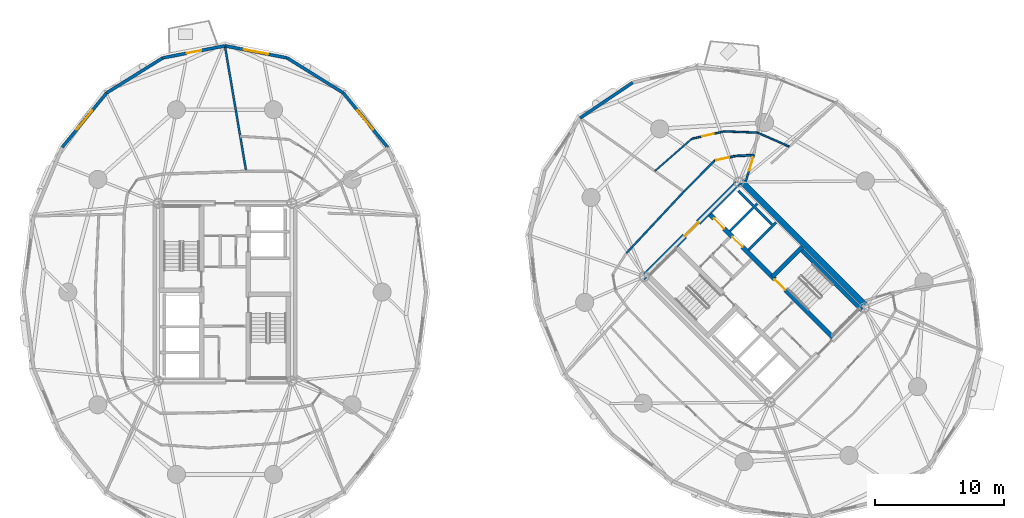
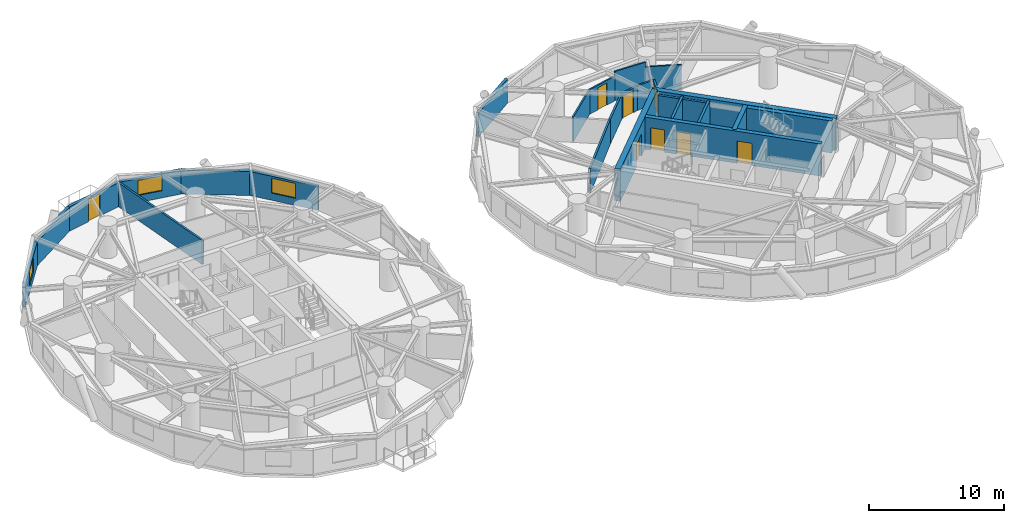
# One storey, part 13 of 18: 26 walls, 8 doors, 3 windows, 11 openings.
"""IFC4 building model written with IfcOpenShell, lengths in metres."""

from ifc_helpers import new_model, si_unit, direction, frame, frame_2d, origin, place, context, subcontext, project, spatial, rectangle, extrude, source, transform, mapped, material, layer, layer_set, type_object, element, fill, save


model = new_model("IFC4")

# Units and contexts
model_context = context("Model", 3, precision=1e-05, world=origin(), true_north=direction((0.0, 1.0)))
body_context = subcontext(model_context, "Body", "Model", "MODEL_VIEW")
ifc_project = project(units=[si_unit("LENGTHUNIT", "METRE"), si_unit("AREAUNIT", "SQUARE_METRE"), si_unit("VOLUMEUNIT", "CUBIC_METRE"), si_unit("PLANEANGLEUNIT", "RADIAN"), si_unit("MASSUNIT", "GRAM", prefix="KILO")], contexts=[model_context])

# Site, building, storey
site_placement = place(None, origin())
site = spatial("IfcSite", under=ifc_project, at=site_placement, CompositionType="ELEMENT")
building_placement = place(site_placement, origin())
building = spatial("IfcBuilding", under=site, at=building_placement, Name="Cununo Teusaquillo Station Towers", CompositionType="ELEMENT")
storey_placement = place(building_placement, frame((0.0, 0.0, 105.070068359375)))
storey = spatial("IfcBuildingStorey", under=building, at=storey_placement, Name="L33", CompositionType="ELEMENT", Elevation=105.070068359375)

# Walls
ifc_material_1 = material(Name="Concrete C50/60", Category="concrete")
ifc_layer_1 = layer(ifc_material_1, 0.199951171875)
ifc_layer_set_1 = layer_set([ifc_layer_1], Name="Concrete C50/60")
wall_type_1 = type_object("IfcWallType", Name="WL-CORE-200", PredefinedType="SHEAR", material=ifc_layer_set_1)
wall_1_placement = place(storey_placement, frame((57.0615234375, 27.781005859375, 0.0), z_axis=(0.0, 0.0, 1.0), x_axis=(0.707106781187, 0.707106781187, 0.0)))
element("IfcWall", 1, at=wall_1_placement, inside=storey, type_object=wall_type_1, Name="L33 Tower B Low-Rise Lift Hoistway South Shear Wall", PredefinedType="SHEAR", context=body_context, shape_type="SweptSolid", body=[
    extrude(rectangle(XDim=2.969970703125, YDim=0.199951171875, at=frame_2d((1.48486328125, 0.0))), origin(), (0.0, 0.0, 1.0), 2.909912109375),
])
wall_2_placement = place(storey_placement, frame((55.615478515625, 29.22705078125, 0.0), z_axis=(0.0, 0.0, 1.0), x_axis=(0.707147878904, 0.70706568108, 0.0)))
element("IfcWall", 2, at=wall_2_placement, inside=storey, type_object=wall_type_1, Name="L33 Tower B Low-Rise Lift Hoistway Divider Shear Wall", PredefinedType="SHEAR", context=body_context, shape_type="SweptSolid", body=[
    extrude(rectangle(XDim=2.97021484375, YDim=0.199951171875, at=frame_2d((1.485107421875, 0.0))), origin(), (0.0, 0.0, 1.0), 2.909912109375),
])
wall_3_placement = place(storey_placement, frame((58.86474609375, 29.75390625, 0.0), z_axis=(0.0, 0.0, 1.0), x_axis=(-0.707174411312, 0.707039144592, 0.0)))
element("IfcWall", 3, at=wall_3_placement, inside=storey, type_object=wall_type_1, Name="L33 Tower B Low-Rise Lift 1 Shaft Rear Shear Wall", PredefinedType="SHEAR", context=body_context, shape_type="SweptSolid", body=[
    extrude(rectangle(XDim=1.804931640625, YDim=0.199951171875, at=frame_2d((0.90234375, 0.0))), origin(), (0.0, 0.0, 1.0), 2.909912109375),
])
wall_4_placement = place(storey_placement, frame((57.418701171875, 31.19970703125, 0.0), z_axis=(0.0, 0.0, 1.0), x_axis=(-0.707032117043, 0.707181437447, 0.0)))
element("IfcWall", 4, at=wall_4_placement, inside=storey, type_object=wall_type_1, Name="L33 Tower B Low-Rise Lift 2 Shaft Rear Shear Wall", PredefinedType="SHEAR", context=body_context, shape_type="SweptSolid", body=[
    extrude(rectangle(XDim=1.635009765625, YDim=0.199951171875, at=frame_2d((0.8173828125, 0.0))), origin(), (0.0, 0.0, 1.0), 2.909912109375),
])

# Wall, openings, doors
ifc_material_2 = material(Name="Concrete C50/60", Category="concrete")
ifc_layer_2 = layer(ifc_material_2, 0.35009765625)
ifc_layer_set_2 = layer_set([ifc_layer_2], Name="Concrete C50/60")
wall_type_2 = type_object("IfcWallType", Name="WL-CORE-350", PredefinedType="SHEAR", material=ifc_layer_set_2)
wall_5_placement = place(storey_placement, frame((63.644775390625, 20.922119140625, 0.0), z_axis=(0.0, 0.0, 1.0), x_axis=(-0.707106781187, 0.707106781187, 0.0)))
wall_5 = element("IfcWall", 5, at=wall_5_placement, inside=storey, type_object=wall_type_2, Name="L33 Tower B Core Shear Wall IE", PredefinedType="SHEAR", context=body_context, shape_type="SweptSolid", body=[
    extrude(rectangle(XDim=13.75, YDim=0.35009765625, at=frame_2d((6.875, 0.0))), origin(), (0.0, 0.0, 1.0), 2.909912109375),
])
shared_shape_1 = source(origin(), body_context, "Body", "SweptSolid", [
    extrude(rectangle(XDim=1.10009765625, YDim=2.014892578125, at=frame_2d((0.550048828125, 1.00732421875))), frame((0.0, 0.18505859375, 0.0), z_axis=(0.0, -1.0, 0.0), x_axis=(1.0, 0.0, 0.0)), (0.0, 0.0, 1.0), 0.3701171875),
])
opening_1_placement = place(wall_5_placement, frame((10.0, 0.0, 0.0)))
opening_1 = element("IfcOpeningElement", 6, at=opening_1_placement, cuts=wall_5, Name="Opening LD-01", PredefinedType="OPENING", context=body_context, shape_type="MappedRepresentation", body=[
    mapped(shared_shape_1, transform((0.0, 0.0, 0.0), x_axis=(1.0, 0.0, 0.0), y_axis=(0.0, 1.0, 0.0), z_axis=(0.0, 0.0, 1.0), scale=1.0)),
])
opening_2_placement = place(wall_5_placement, frame((12.0, 0.0, 0.0)))
opening_2 = element("IfcOpeningElement", 7, at=opening_2_placement, cuts=wall_5, Name="Opening LD-01", PredefinedType="OPENING", context=body_context, shape_type="MappedRepresentation", body=[
    mapped(shared_shape_1, transform((0.0, 0.0, 0.0), x_axis=(1.0, 0.0, 0.0), y_axis=(0.0, 1.0, 0.0), z_axis=(0.0, 0.0, 1.0), scale=1.0)),
])
shared_shape_2 = source(origin(), body_context, "Body", "SweptSolid", [
    extrude(rectangle(XDim=1.14990234375, YDim=2.02001953125, at=frame_2d((0.574951171875, 1.010009765625))), frame((0.0, 0.18505859375, 0.0), z_axis=(0.0, -1.0, 0.0), x_axis=(1.0, 0.0, 0.0)), (0.0, 0.0, 1.0), 0.3701171875),
])
opening_3_placement = place(wall_5_placement, frame((5.304931640625, 0.0, 0.0)))
opening_3 = element("IfcOpeningElement", 8, at=opening_3_placement, cuts=wall_5, Name="Opening D-ST1", PredefinedType="OPENING", context=body_context, shape_type="MappedRepresentation", body=[
    mapped(shared_shape_2, transform((0.0, 0.0, 0.0), x_axis=(1.0, 0.0, 0.0), y_axis=(0.0, 1.0, 0.0), z_axis=(0.0, 0.0, 1.0), scale=1.0)),
])
ifc_material_3 = material(Name="Galvanised fire-rated hollow steel door assembly", Category="steel")
door_type_1 = type_object("IfcDoorType", Name="DR-LIFT-1100", OperationType="SLIDING_TO_LEFT", PredefinedType="DOOR", material=ifc_material_3)
shared_shape_3 = source(origin(), body_context, "Body", "SweptSolid", [
    extrude(rectangle(XDim=1.10009765625, YDim=2.014892578125, at=frame_2d((0.550048828125, 1.00732421875))), frame((0.0, 0.02490234375, 0.0), z_axis=(0.0, -1.0, 0.0), x_axis=(1.0, 0.0, 0.0)), (0.0, 0.0, 1.0), 0.050048828125),
])
door_1_placement = place(opening_1_placement, origin())
door_1 = element("IfcDoor", 9, at=door_1_placement, inside=storey, type_object=door_type_1, Name="L33 Lift PL-T2-L1 Sliding Landing Door", OperationType="SLIDING_TO_LEFT", OverallHeight=2.014892578125, OverallWidth=1.10009765625, PredefinedType="DOOR", context=body_context, shape_type="MappedRepresentation", body=[
    mapped(shared_shape_3, transform((0.0, 0.0, 0.0), x_axis=(1.0, 0.0, 0.0), y_axis=(0.0, 1.0, 0.0), z_axis=(0.0, 0.0, 1.0), scale=1.0)),
])
fill(opening_1, door_1)
door_2_placement = place(opening_2_placement, origin())
door_2 = element("IfcDoor", 10, at=door_2_placement, inside=storey, type_object=door_type_1, Name="L33 Lift PL-T2-L2 Sliding Landing Door", OperationType="SLIDING_TO_RIGHT", OverallHeight=2.014892578125, OverallWidth=1.10009765625, PredefinedType="DOOR", context=body_context, shape_type="MappedRepresentation", body=[
    mapped(shared_shape_3, transform((0.0, 0.0, 0.0), x_axis=(1.0, 0.0, 0.0), y_axis=(0.0, 1.0, 0.0), z_axis=(0.0, 0.0, 1.0), scale=1.0)),
])
fill(opening_2, door_2)
ifc_material_4 = material(Name="Galvanised fire-rated hollow steel door assembly", Category="steel")
door_type_2 = type_object("IfcDoorType", Name="DR-STAIR-1150", OperationType="NOTDEFINED", PredefinedType="DOOR", material=ifc_material_4)
shared_shape_4 = source(origin(), body_context, "Body", "SweptSolid", [
    extrude(rectangle(XDim=1.14990234375, YDim=2.02001953125, at=frame_2d((0.574951171875, 1.010009765625))), frame((0.0, 0.02490234375, 0.0), z_axis=(0.0, -1.0, 0.0), x_axis=(1.0, 0.0, 0.0)), (0.0, 0.0, 1.0), 0.050048828125),
])
door_3_placement = place(opening_3_placement, origin())
door_3 = element("IfcDoor", 11, at=door_3_placement, inside=storey, type_object=door_type_2, Name="L33 Tower B Exit Stair 2 Fire Door", OperationType="SINGLE_SWING_RIGHT", OverallHeight=2.02001953125, OverallWidth=1.14990234375, PredefinedType="DOOR", context=body_context, shape_type="MappedRepresentation", body=[
    mapped(shared_shape_4, transform((0.0, 0.0, 0.0), x_axis=(1.0, 0.0, 0.0), y_axis=(0.0, 1.0, 0.0), z_axis=(0.0, 0.0, 1.0), scale=1.0)),
])
fill(opening_3, door_3)

# Walls
wall_6_placement = place(storey_placement, frame((65.82958984375, 23.10693359375, 0.0), z_axis=(0.0, 0.0, 1.0), x_axis=(-0.707088616009, 0.707124945897, 0.0)))
element("IfcWall", 12, at=wall_6_placement, inside=storey, type_object=wall_type_2, Name="L33 Tower B Core Shear Wall ST2E", PredefinedType="SHEAR", context=body_context, shape_type="SweptSolid", body=[
    extrude(rectangle(XDim=6.72021484375, YDim=0.35009765625, at=frame_2d((3.360107421875, 0.0))), origin(), (0.0, 0.0, 1.0), 2.909912109375),
])
wall_7_placement = place(storey_placement, frame((58.89306640625, 25.673828125, 0.0), z_axis=(0.0, 0.0, 1.0), x_axis=(0.707106781187, 0.707106781187, 0.0)))
element("IfcWall", 13, at=wall_7_placement, inside=storey, type_object=wall_type_2, Name="L33 Tower B Core Shear Wall ST2N", PredefinedType="SHEAR", context=body_context, shape_type="SweptSolid", body=[
    extrude(rectangle(XDim=3.284912109375, YDim=0.35009765625, at=frame_2d((1.642578125, 0.0))), origin(), (0.0, 0.0, 1.0), 2.909912109375),
])
ifc_material_5 = material(Name="Concrete C60/75", Category="concrete")
ifc_layer_3 = layer(ifc_material_5, 0.449951171875)
ifc_layer_set_3 = layer_set([ifc_layer_3], Name="Concrete C60/75")
wall_type_3 = type_object("IfcWallType", Name="WL-CORE-450", PredefinedType="SHEAR", material=ifc_layer_set_3)
wall_8_placement = place(storey_placement, frame((66.303466796875, 23.2626953125, 0.0), z_axis=(0.0, 0.0, 1.0), x_axis=(-0.707106781187, 0.707106781187, 0.0)))
element("IfcWall", 14, at=wall_8_placement, inside=storey, type_object=wall_type_3, Name="L33 Tower B Core Shear Wall E", PredefinedType="SHEAR", context=body_context, shape_type="SweptSolid", body=[
    extrude(rectangle(XDim=14.19970703125, YDim=0.449951171875, at=frame_2d((7.099853515625, 0.0))), origin(), (0.0, 0.0, 1.0), 2.909912109375),
])

# Wall, opening, door
wall_9_placement = place(storey_placement, frame((48.855712890625, 25.578369140625, 0.0), z_axis=(0.0, 0.0, 1.0), x_axis=(0.707106781187, 0.707106781187, 0.0)))
wall_9 = element("IfcWall", 15, at=wall_9_placement, inside=storey, type_object=wall_type_3, Name="L33 Tower B Core Shear Wall N", PredefinedType="SHEAR", context=body_context, shape_type="SweptSolid", body=[
    extrude(rectangle(XDim=10.69970703125, YDim=0.449951171875, at=frame_2d((5.349853515625, 0.0))), origin(), (0.0, 0.0, 1.0), 2.909912109375),
])
shared_shape_5 = source(origin(), body_context, "Body", "SweptSolid", [
    extrude(rectangle(XDim=1.5, YDim=2.02001953125, at=frame_2d((0.75, 1.010009765625))), frame((0.0, 0.23486328125, 0.0), z_axis=(0.0, -1.0, 0.0), x_axis=(1.0, 0.0, 0.0)), (0.0, 0.0, 1.0), 0.469970703125),
])
opening_4_placement = place(wall_9_placement, frame((4.60009765625, 0.0, 0.0)))
opening_4 = element("IfcOpeningElement", 16, at=opening_4_placement, cuts=wall_9, Name="Opening D-LB1", PredefinedType="OPENING", context=body_context, shape_type="MappedRepresentation", body=[
    mapped(shared_shape_5, transform((0.0, 0.0, 0.0), x_axis=(1.0, 0.0, 0.0), y_axis=(0.0, 1.0, 0.0), z_axis=(0.0, 0.0, 1.0), scale=1.0)),
])
ifc_material_6 = material(Name="Galvanised fire-rated hollow steel door assembly", Category="steel")
door_type_3 = type_object("IfcDoorType", Name="DR-LOBBY-1500", OperationType="DOUBLE_DOOR_SINGLE_SWING", PredefinedType="DOOR", material=ifc_material_6)
shared_shape_6 = source(origin(), body_context, "Body", "SweptSolid", [
    extrude(rectangle(XDim=1.5, YDim=2.02001953125, at=frame_2d((0.75, 1.010009765625))), frame((0.0, 0.02490234375, 0.0), z_axis=(0.0, -1.0, 0.0), x_axis=(1.0, 0.0, 0.0)), (0.0, 0.0, 1.0), 0.050048828125),
])
door_4_placement = place(opening_4_placement, origin())
door_4 = element("IfcDoor", 17, at=door_4_placement, inside=storey, type_object=door_type_3, Name="L33 Tower B North Core Lift Lobby Door", OperationType="DOUBLE_DOOR_SINGLE_SWING", OverallHeight=2.02001953125, OverallWidth=1.5, PredefinedType="DOOR", context=body_context, shape_type="MappedRepresentation", body=[
    mapped(shared_shape_6, transform((0.0, 0.0, 0.0), x_axis=(1.0, 0.0, 0.0), y_axis=(0.0, 1.0, 0.0), z_axis=(0.0, 0.0, 1.0), scale=1.0)),
])
fill(opening_4, door_4)

# Wall, opening, window
ifc_material_7 = material(Name="Precast concrete C40/50", Category="concrete")
ifc_layer_4 = layer(ifc_material_7, 0.239990234375)
ifc_layer_set_4 = layer_set([ifc_layer_4], Name="Precast concrete C40/50")
wall_type_4 = type_object("IfcWallType", Name="WL-EXT-240", PredefinedType="SOLIDWALL", material=ifc_layer_set_4)
wall_10_placement = place(storey_placement, frame((25.658203125, 39.927978515625, 0.0), z_axis=(0.0, 0.0, 1.0), x_axis=(0.632700781152, -0.77439635945, 0.0)))
wall_10 = element("IfcWall", 18, at=wall_10_placement, inside=storey, type_object=wall_type_4, Name="L33 Tower A Exterior Facade Wall C02", PredefinedType="SOLIDWALL", context=body_context, shape_type="SweptSolid", body=[
    extrude(rectangle(XDim=5.447998046875, YDim=0.239990234375, at=frame_2d((2.72412109375, 0.0))), origin(), (0.0, 0.0, 1.0), 2.178955078125),
])
shared_shape_7 = source(origin(), body_context, "Body", "SweptSolid", [
    extrude(rectangle(XDim=1.89990234375, YDim=1.35009765625, at=frame_2d((0.949951171875, 0.675048828125))), frame((0.0, 0.1298828125, 0.0), z_axis=(0.0, -1.0, 0.0), x_axis=(1.0, 0.0, 0.0)), (0.0, 0.0, 1.0), 0.260009765625),
])
opening_5_placement = place(wall_10_placement, frame((1.77392578125, 0.0, 0.64990234375)))
opening_5 = element("IfcOpeningElement", 19, at=opening_5_placement, cuts=wall_10, Name="Opening WN-02", PredefinedType="OPENING", context=body_context, shape_type="MappedRepresentation", body=[
    mapped(shared_shape_7, transform((0.0, 0.0, 0.0), x_axis=(1.0, 0.0, 0.0), y_axis=(0.0, 1.0, 0.0), z_axis=(0.0, 0.0, 1.0), scale=1.0)),
])
ifc_material_8 = material(Name="Operable acoustic tinted low-E double glazing", Category="glass")
window_type = type_object("IfcWindowType", Name="WIN-OPER-1900", PartitioningType="DOUBLE_PANEL_VERTICAL", PredefinedType="WINDOW", material=ifc_material_8)
shared_shape_8 = source(origin(), body_context, "Body", "SweptSolid", [
    extrude(rectangle(XDim=1.89990234375, YDim=1.35009765625, at=frame_2d((0.949951171875, 0.675048828125))), frame((0.0, 0.030029296875, 0.0), z_axis=(0.0, -1.0, 0.0), x_axis=(1.0, 0.0, 0.0)), (0.0, 0.0, 1.0), 0.06005859375),
])
window_1_placement = place(opening_5_placement, origin())
window_1 = element("IfcWindow", 20, at=window_1_placement, inside=storey, type_object=window_type, Name="L33 Tower A Facade Window C02", OverallHeight=1.35009765625, OverallWidth=1.89990234375, PartitioningType="DOUBLE_PANEL_VERTICAL", PredefinedType="WINDOW", context=body_context, shape_type="MappedRepresentation", body=[
    mapped(shared_shape_8, transform((0.0, 0.0, 0.0), x_axis=(1.0, 0.0, 0.0), y_axis=(0.0, 1.0, 0.0), z_axis=(0.0, 0.0, 1.0), scale=1.0)),
])
fill(opening_5, window_1)

# Wall
wall_11_placement = place(storey_placement, frame((21.314697265625, 42.63671875, 0.0), z_axis=(0.0, 0.0, 1.0), x_axis=(0.848520380187, -0.529162701263, 0.0)))
element("IfcWall", 21, at=wall_11_placement, inside=storey, type_object=wall_type_4, Name="L33 Tower A Exterior Facade Wall C03", PredefinedType="SOLIDWALL", context=body_context, shape_type="SweptSolid", body=[
    extrude(rectangle(XDim=5.118896484375, YDim=0.239990234375, at=frame_2d((2.5595703125, 0.0))), origin(), (0.0, 0.0, 1.0), 2.178955078125),
])

# Wall, opening, window
wall_12_placement = place(storey_placement, frame((16.5, 43.570068359375, 0.0), z_axis=(0.0, 0.0, 1.0), x_axis=(0.981723785992, -0.190311344954, 0.0)))
wall_12 = element("IfcWall", 22, at=wall_12_placement, inside=storey, type_object=wall_type_4, Name="L33 Tower A Exterior Facade Wall C04", PredefinedType="SOLIDWALL", context=body_context, shape_type="SweptSolid", body=[
    extrude(rectangle(XDim=4.904296875, YDim=0.239990234375, at=frame_2d((2.4521484375, 0.0))), origin(), (0.0, 0.0, 1.0), 2.178955078125),
])
opening_6_placement = place(wall_12_placement, frame((1.501953125, 0.0, 0.64990234375)))
opening_6 = element("IfcOpeningElement", 23, at=opening_6_placement, cuts=wall_12, Name="Opening WN-02", PredefinedType="OPENING", context=body_context, shape_type="MappedRepresentation", body=[
    mapped(shared_shape_7, transform((0.0, 0.0, 0.0), x_axis=(1.0, 0.0, 0.0), y_axis=(0.0, 1.0, 0.0), z_axis=(0.0, 0.0, 1.0), scale=1.0)),
])
window_2_placement = place(opening_6_placement, origin())
window_2 = element("IfcWindow", 24, at=window_2_placement, inside=storey, type_object=window_type, Name="L33 Tower A Facade Window C04", OverallHeight=1.35009765625, OverallWidth=1.89990234375, PartitioningType="DOUBLE_PANEL_VERTICAL", PredefinedType="WINDOW", context=body_context, shape_type="MappedRepresentation", body=[
    mapped(shared_shape_8, transform((0.0, 0.0, 0.0), x_axis=(1.0, 0.0, 0.0), y_axis=(0.0, 1.0, 0.0), z_axis=(0.0, 0.0, 1.0), scale=1.0)),
])
fill(opening_6, window_2)

# Wall, opening, door
wall_13_placement = place(storey_placement, frame((11.685302734375, 42.63671875, 0.0), z_axis=(0.0, 0.0, 1.0), x_axis=(0.981723785992, 0.190311344954, 0.0)))
wall_13 = element("IfcWall", 25, at=wall_13_placement, inside=storey, type_object=wall_type_4, Name="L33 Tower A Exterior Facade Wall C05", PredefinedType="SOLIDWALL", context=body_context, shape_type="SweptSolid", body=[
    extrude(rectangle(XDim=4.904296875, YDim=0.239990234375, at=frame_2d((2.4521484375, 0.0))), origin(), (0.0, 0.0, 1.0), 2.178955078125),
])
shared_shape_9 = source(origin(), body_context, "Body", "SweptSolid", [
    extrude(rectangle(XDim=1.14990234375, YDim=2.0048828125, at=frame_2d((0.574951171875, 1.00244140625))), frame((0.0, 0.1298828125, 0.0), z_axis=(0.0, -1.0, 0.0), x_axis=(1.0, 0.0, 0.0)), (0.0, 0.0, 1.0), 0.260009765625),
])
opening_7_placement = place(wall_13_placement, frame((1.876953125, 0.0, 0.0)))
opening_7 = element("IfcOpeningElement", 26, at=opening_7_placement, cuts=wall_13, Name="Opening ED-03", PredefinedType="OPENING", context=body_context, shape_type="MappedRepresentation", body=[
    mapped(shared_shape_9, transform((0.0, 0.0, 0.0), x_axis=(1.0, 0.0, 0.0), y_axis=(0.0, 1.0, 0.0), z_axis=(0.0, 0.0, 1.0), scale=1.0)),
])
ifc_material_9 = material(Name="Anodised dark bronze aluminium EN AW-6063-T6", Category="aluminium")
door_type_4 = type_object("IfcDoorType", Name="DR-EXT-BAL", OperationType="NOTDEFINED", PredefinedType="DOOR", material=ifc_material_9)
shared_shape_10 = source(origin(), body_context, "Body", "SweptSolid", [
    extrude(rectangle(XDim=1.14990234375, YDim=2.0048828125, at=frame_2d((0.574951171875, 1.00244140625))), frame((0.0, 0.02490234375, 0.0), z_axis=(0.0, -1.0, 0.0), x_axis=(1.0, 0.0, 0.0)), (0.0, 0.0, 1.0), 0.050048828125),
])
door_5_placement = place(opening_7_placement, origin())
door_5 = element("IfcDoor", 27, at=door_5_placement, inside=storey, type_object=door_type_4, Name="L33 Tower A Tree Balcony Door C05", OperationType="SINGLE_SWING_LEFT", OverallHeight=2.0048828125, OverallWidth=1.14990234375, PredefinedType="DOOR", context=body_context, shape_type="MappedRepresentation", body=[
    mapped(shared_shape_10, transform((0.0, 0.0, 0.0), x_axis=(1.0, 0.0, 0.0), y_axis=(0.0, 1.0, 0.0), z_axis=(0.0, 0.0, 1.0), scale=1.0)),
])
fill(opening_7, door_5)

# Wall
wall_14_placement = place(storey_placement, frame((7.341796875, 39.927978515625, 0.0), z_axis=(0.0, 0.0, 1.0), x_axis=(0.848520380187, 0.529162701263, 0.0)))
element("IfcWall", 28, at=wall_14_placement, inside=storey, type_object=wall_type_4, Name="L33 Tower A Exterior Facade Wall C06", PredefinedType="SOLIDWALL", context=body_context, shape_type="SweptSolid", body=[
    extrude(rectangle(XDim=5.118896484375, YDim=0.239990234375, at=frame_2d((2.5595703125, 0.0))), origin(), (0.0, 0.0, 1.0), 2.178955078125),
])

# Wall, opening, window
wall_15_placement = place(storey_placement, frame((3.894775390625, 35.708984375, 0.0), z_axis=(0.0, 0.0, 1.0), x_axis=(0.632700781152, 0.77439635945, 0.0)))
wall_15 = element("IfcWall", 29, at=wall_15_placement, inside=storey, type_object=wall_type_4, Name="L33 Tower A Exterior Facade Wall C07", PredefinedType="SOLIDWALL", context=body_context, shape_type="SweptSolid", body=[
    extrude(rectangle(XDim=5.447998046875, YDim=0.239990234375, at=frame_2d((2.72412109375, 0.0))), origin(), (0.0, 0.0, 1.0), 2.178955078125),
])
opening_8_placement = place(wall_15_placement, frame((1.77392578125, 0.0, 0.64990234375)))
opening_8 = element("IfcOpeningElement", 30, at=opening_8_placement, cuts=wall_15, Name="Opening WN-02", PredefinedType="OPENING", context=body_context, shape_type="MappedRepresentation", body=[
    mapped(shared_shape_7, transform((0.0, 0.0, 0.0), x_axis=(1.0, 0.0, 0.0), y_axis=(0.0, 1.0, 0.0), z_axis=(0.0, 0.0, 1.0), scale=1.0)),
])
window_3_placement = place(opening_8_placement, origin())
window_3 = element("IfcWindow", 31, at=window_3_placement, inside=storey, type_object=window_type, Name="L33 Tower A Facade Window C07", OverallHeight=1.35009765625, OverallWidth=1.89990234375, PartitioningType="DOUBLE_PANEL_VERTICAL", PredefinedType="WINDOW", context=body_context, shape_type="MappedRepresentation", body=[
    mapped(shared_shape_8, transform((0.0, 0.0, 0.0), x_axis=(1.0, 0.0, 0.0), y_axis=(0.0, 1.0, 0.0), z_axis=(0.0, 0.0, 1.0), scale=1.0)),
])
fill(opening_8, window_3)

# Walls
wall_16_placement = place(storey_placement, frame((44.015380859375, 37.984619140625, 0.0), z_axis=(0.0, 0.0, 1.0), x_axis=(0.828781148131, 0.559572880421, 0.0)))
element("IfcWall", 32, at=wall_16_placement, inside=storey, type_object=wall_type_4, Name="L33 Tower B Exterior Facade Wall C04", PredefinedType="SOLIDWALL", context=body_context, shape_type="SweptSolid", body=[
    extrude(rectangle(XDim=4.904541015625, YDim=0.239990234375, at=frame_2d((2.4521484375, 0.0))), origin(), (0.0, 0.0, 1.0), 2.178955078125),
])
ifc_material_10 = material(Name="Fire-rated gypsum plasterboard partition assembly", Category="gypsum")
ifc_layer_5 = layer(ifc_material_10, 0.125)
ifc_layer_set_5 = layer_set([ifc_layer_5], Name="Fire-rated gypsum plasterboard partition assembly")
wall_type_5 = type_object("IfcWallType", Name="WL-PART-125", PredefinedType="PARTITIONING", material=ifc_layer_set_5)
wall_17_placement = place(storey_placement, frame((60.208984375, 35.765625, 0.0), z_axis=(0.0, 0.0, 1.0), x_axis=(-0.914932611268, 0.403606636267, 0.0)))
element("IfcWall", 33, at=wall_17_placement, inside=storey, type_object=wall_type_5, Name="L33 Tower B Consular Reception Salon Concentric Partition Wall C01", PredefinedType="PARTITIONING", context=body_context, shape_type="SweptSolid", body=[
    extrude(rectangle(XDim=2.685791015625, YDim=0.125, at=frame_2d((1.3427734375, 0.0))), origin(), (0.0, 0.0, 1.0), 2.224853515625),
])
wall_18_placement = place(storey_placement, frame((57.751708984375, 36.849609375, 0.0), z_axis=(0.0, 0.0, 1.0), x_axis=(-0.999279468675, 0.037954492291, 0.0)))
element("IfcWall", 34, at=wall_18_placement, inside=storey, type_object=wall_type_5, Name="L33 Tower B Consular Reception Salon Concentric Partition Wall C02", PredefinedType="PARTITIONING", context=body_context, shape_type="SweptSolid", body=[
    extrude(rectangle(XDim=2.5859375, YDim=0.125, at=frame_2d((1.29296875, 0.0))), origin(), (0.0, 0.0, 1.0), 2.655029296875),
])

# Wall, opening, door
wall_19_placement = place(storey_placement, frame((55.167724609375, 36.94775390625, 0.0), z_axis=(0.0, 0.0, 1.0), x_axis=(-0.974677367116, -0.223615808993, 0.0)))
wall_19 = element("IfcWall", 35, at=wall_19_placement, inside=storey, type_object=wall_type_5, Name="L33 Tower B Consular Reception Salon Concentric Partition Wall C03", PredefinedType="PARTITIONING", context=body_context, shape_type="SweptSolid", body=[
    extrude(rectangle(XDim=2.5810546875, YDim=0.125, at=frame_2d((1.29052734375, 0.0))), origin(), (0.0, 0.0, 1.0), 2.224853515625),
])
shared_shape_11 = source(origin(), body_context, "Body", "SweptSolid", [
    extrude(rectangle(XDim=0.89990234375, YDim=2.0048828125, at=frame_2d((0.449951171875, 1.00244140625))), frame((0.0, 0.072509765625, 0.0), z_axis=(0.0, -1.0, 0.0), x_axis=(1.0, 0.0, 0.0)), (0.0, 0.0, 1.0), 0.14501953125),
])
opening_9_placement = place(wall_19_placement, frame((0.840576171875, 0.0, 0.0)))
opening_9 = element("IfcOpeningElement", 36, at=opening_9_placement, cuts=wall_19, Name="Opening D-IN1", PredefinedType="OPENING", context=body_context, shape_type="MappedRepresentation", body=[
    mapped(shared_shape_11, transform((0.0, 0.0, 0.0), x_axis=(1.0, 0.0, 0.0), y_axis=(0.0, 1.0, 0.0), z_axis=(0.0, 0.0, 1.0), scale=1.0)),
])
ifc_material_11 = material(Name="Acoustic solid-core hardwood leaf assembly", Category="wood")
door_type_5 = type_object("IfcDoorType", Name="DR-INT-900", OperationType="NOTDEFINED", PredefinedType="DOOR", material=ifc_material_11)
shared_shape_12 = source(origin(), body_context, "Body", "SweptSolid", [
    extrude(rectangle(XDim=0.89990234375, YDim=2.0048828125, at=frame_2d((0.449951171875, 1.00244140625))), frame((0.0, 0.02490234375, 0.0), z_axis=(0.0, -1.0, 0.0), x_axis=(1.0, 0.0, 0.0)), (0.0, 0.0, 1.0), 0.050048828125),
])
door_6_placement = place(opening_9_placement, origin())
door_6 = element("IfcDoor", 37, at=door_6_placement, inside=storey, type_object=door_type_5, Name="L33 Tower B Consular Reception Salon Connecting Door", OperationType="SINGLE_SWING_LEFT", OverallHeight=2.0048828125, OverallWidth=0.89990234375, PredefinedType="DOOR", context=body_context, shape_type="MappedRepresentation", body=[
    mapped(shared_shape_12, transform((0.0, 0.0, 0.0), x_axis=(1.0, 0.0, 0.0), y_axis=(0.0, 1.0, 0.0), z_axis=(0.0, 0.0, 1.0), scale=1.0)),
])
fill(opening_9, door_6)

# Walls
wall_20_placement = place(storey_placement, frame((52.652099609375, 36.37060546875, 0.0), z_axis=(0.0, 0.0, 1.0), x_axis=(-0.752401146533, -0.658705180408, 0.0)))
element("IfcWall", 38, at=wall_20_placement, inside=storey, type_object=wall_type_5, Name="L33 Tower B Consular Reception Salon Concentric Partition Wall C04", PredefinedType="PARTITIONING", context=body_context, shape_type="SweptSolid", body=[
    extrude(rectangle(XDim=3.791259765625, YDim=0.125, at=frame_2d((1.8955078125, 0.0))), origin(), (0.0, 0.0, 1.0), 2.224853515625),
])
ifc_material_12 = material(Name="Fire-rated gypsum plasterboard partition assembly", Category="gypsum")
ifc_layer_6 = layer(ifc_material_12, 0.14990234375)
ifc_layer_set_6 = layer_set([ifc_layer_6], Name="Fire-rated gypsum plasterboard partition assembly")
wall_type_6 = type_object("IfcWallType", Name="WL-PART-150", PredefinedType="PARTITIONING", material=ifc_layer_set_6)
wall_21_placement = place(storey_placement, frame((57.466796875, 35.111328125, 0.0), z_axis=(0.0, 0.0, 1.0), x_axis=(-0.998691757323, -0.051134859488, 0.0)))
element("IfcWall", 39, at=wall_21_placement, inside=storey, type_object=wall_type_6, Name="L33 Tower B Corridor Ring Wall C02", PredefinedType="PARTITIONING", context=body_context, shape_type="SweptSolid", body=[
    extrude(rectangle(XDim=1.48486328125, YDim=0.14990234375, at=frame_2d((0.742431640625, 0.0))), origin(), (0.0, 0.0, 1.0), 2.224853515625),
])

# Wall, opening, door
wall_22_placement = place(storey_placement, frame((55.98388671875, 35.035400390625, 0.0), z_axis=(0.0, 0.0, 1.0), x_axis=(-0.975290305708, -0.22092718165, 0.0)))
wall_22 = element("IfcWall", 40, at=wall_22_placement, inside=storey, type_object=wall_type_6, Name="L33 Tower B Corridor Ring Wall C03", PredefinedType="PARTITIONING", context=body_context, shape_type="SweptSolid", body=[
    extrude(rectangle(XDim=1.596923828125, YDim=0.14990234375, at=frame_2d((0.79833984375, 0.0))), origin(), (0.0, 0.0, 1.0), 2.224853515625),
])
shared_shape_13 = source(origin(), body_context, "Body", "SweptSolid", [
    extrude(rectangle(XDim=1.050048828125, YDim=2.014892578125, at=frame_2d((0.52490234375, 1.00732421875))), frame((0.0, 0.0849609375, 0.0), z_axis=(0.0, -1.0, 0.0), x_axis=(1.0, 0.0, 0.0)), (0.0, 0.0, 1.0), 0.169921875),
])
opening_10_placement = place(wall_22_placement, frame((0.4267578125, 0.0, 0.0)))
opening_10 = element("IfcOpeningElement", 41, at=opening_10_placement, cuts=wall_22, Name="Opening D-SU1", PredefinedType="OPENING", context=body_context, shape_type="MappedRepresentation", body=[
    mapped(shared_shape_13, transform((0.0, 0.0, 0.0), x_axis=(1.0, 0.0, 0.0), y_axis=(0.0, 1.0, 0.0), z_axis=(0.0, 0.0, 1.0), scale=1.0)),
])
ifc_material_13 = material(Name="Acoustic solid-core hardwood leaf assembly", Category="wood")
door_type_6 = type_object("IfcDoorType", Name="DR-SUITE-1050", OperationType="NOTDEFINED", PredefinedType="DOOR", material=ifc_material_13)
shared_shape_14 = source(origin(), body_context, "Body", "SweptSolid", [
    extrude(rectangle(XDim=1.050048828125, YDim=2.014892578125, at=frame_2d((0.52490234375, 1.00732421875))), frame((0.0, 0.02490234375, 0.0), z_axis=(0.0, -1.0, 0.0), x_axis=(1.0, 0.0, 0.0)), (0.0, 0.0, 1.0), 0.050048828125),
])
door_7_placement = place(opening_10_placement, origin())
door_7 = element("IfcDoor", 42, at=door_7_placement, inside=storey, type_object=door_type_6, Name="L33 Tower B Consular Reception Salon Entrance Door", OperationType="SINGLE_SWING_RIGHT", OverallHeight=2.014892578125, OverallWidth=1.050048828125, PredefinedType="DOOR", context=body_context, shape_type="MappedRepresentation", body=[
    mapped(shared_shape_14, transform((0.0, 0.0, 0.0), x_axis=(1.0, 0.0, 0.0), y_axis=(0.0, 1.0, 0.0), z_axis=(0.0, 0.0, 1.0), scale=1.0)),
])
fill(opening_10, door_7)

# Walls
wall_23_placement = place(storey_placement, frame((54.426513671875, 34.6826171875, 0.0), z_axis=(0.0, 0.0, 1.0), x_axis=(-0.704178989986, -0.710022499687, 0.0)))
element("IfcWall", 43, at=wall_23_placement, inside=storey, type_object=wall_type_6, Name="L33 Tower B Corridor Ring Wall C04", PredefinedType="PARTITIONING", context=body_context, shape_type="SweptSolid", body=[
    extrude(rectangle(XDim=3.38427734375, YDim=0.14990234375, at=frame_2d((1.692138671875, 0.0))), origin(), (0.0, 0.0, 1.0), 2.224853515625),
])
wall_24_placement = place(storey_placement, frame((52.04345703125, 32.27978515625, 0.0), z_axis=(0.0, 0.0, 1.0), x_axis=(-0.682606081633, -0.730786519661, 0.0)))
element("IfcWall", 44, at=wall_24_placement, inside=storey, type_object=wall_type_6, Name="L33 Tower B Corridor Ring Wall C05", PredefinedType="PARTITIONING", context=body_context, shape_type="SweptSolid", body=[
    extrude(rectangle(XDim=6.526611328125, YDim=0.14990234375, at=frame_2d((3.26318359375, 0.0))), origin(), (0.0, 0.0, 1.0), 2.224853515625),
])
ifc_material_14 = material(Name="Fire-rated gypsum plasterboard partition assembly", Category="gypsum")
ifc_layer_7 = layer(ifc_material_14, 0.159912109375)
ifc_layer_set_7 = layer_set([ifc_layer_7], Name="Fire-rated gypsum plasterboard partition assembly")
wall_type_7 = type_object("IfcWallType", Name="WL-PART-160", PredefinedType="PARTITIONING", material=ifc_layer_set_7)
wall_25_placement = place(storey_placement, frame((18.142822265625, 33.859619140625, 0.0), z_axis=(0.0, 0.0, 1.0), x_axis=(-0.167145472003, 0.985932244725, 0.0)))
element("IfcWall", 45, at=wall_25_placement, inside=storey, type_object=wall_type_7, Name="L33 Tower A Radial Suite Partition R03", PredefinedType="PARTITIONING", context=body_context, shape_type="SweptSolid", body=[
    extrude(rectangle(XDim=9.82861328125, YDim=0.159912109375, at=frame_2d((4.914306640625, 0.0))), origin(), (0.0, 0.0, 1.0), 2.178955078125),
])

# Wall, opening, door
wall_26_placement = place(storey_placement, frame((56.828125, 33.055908203125, 0.0), z_axis=(0.0, 0.0, 1.0), x_axis=(0.296730996083, 0.954961107042, 0.0)))
wall_26 = element("IfcWall", 46, at=wall_26_placement, inside=storey, type_object=wall_type_7, Name="L33 Tower B East Salon Corridor Portal Wall NE", PredefinedType="PARTITIONING", context=body_context, shape_type="SweptSolid", body=[
    extrude(rectangle(XDim=2.15234375, YDim=0.159912109375, at=frame_2d((1.076171875, 0.0))), origin(), (0.0, 0.0, 1.0), 2.224853515625),
])
shared_shape_15 = source(origin(), body_context, "Body", "SweptSolid", [
    extrude(rectangle(XDim=1.050048828125, YDim=2.014892578125, at=frame_2d((0.52490234375, 1.00732421875))), frame((0.0, 0.08984375, 0.0), z_axis=(0.0, -1.0, 0.0), x_axis=(1.0, 0.0, 0.0)), (0.0, 0.0, 1.0), 0.179931640625),
])
opening_11_placement = place(wall_26_placement, frame((0.902099609375, 0.0, 0.0)))
opening_11 = element("IfcOpeningElement", 47, at=opening_11_placement, cuts=wall_26, Name="Opening D-SU1", PredefinedType="OPENING", context=body_context, shape_type="MappedRepresentation", body=[
    mapped(shared_shape_15, transform((0.0, 0.0, 0.0), x_axis=(1.0, 0.0, 0.0), y_axis=(0.0, 1.0, 0.0), z_axis=(0.0, 0.0, 1.0), scale=1.0)),
])
door_8_placement = place(opening_11_placement, origin())
door_8 = element("IfcDoor", 48, at=door_8_placement, inside=storey, type_object=door_type_6, Name="L33 Tower B East Panorama Sky Salon Door NE", OperationType="SINGLE_SWING_RIGHT", OverallHeight=2.014892578125, OverallWidth=1.050048828125, PredefinedType="DOOR", context=body_context, shape_type="MappedRepresentation", body=[
    mapped(shared_shape_14, transform((0.0, 0.0, 0.0), x_axis=(1.0, 0.0, 0.0), y_axis=(0.0, 1.0, 0.0), z_axis=(0.0, 0.0, 1.0), scale=1.0)),
])
fill(opening_11, door_8)

save(model, "model.ifc")
